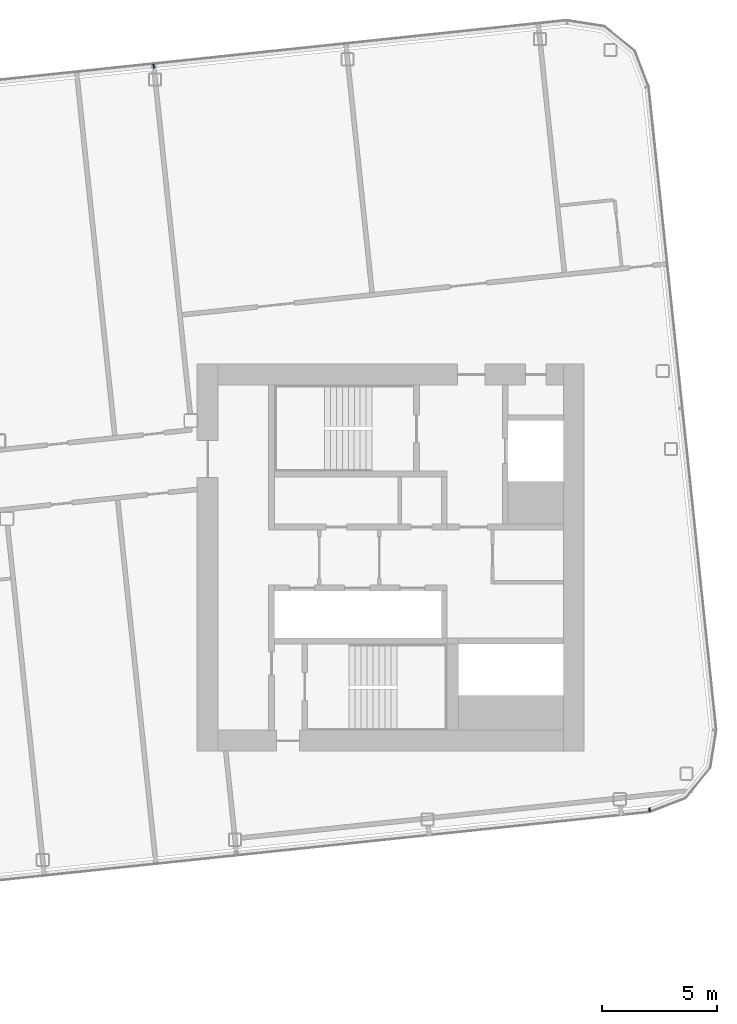
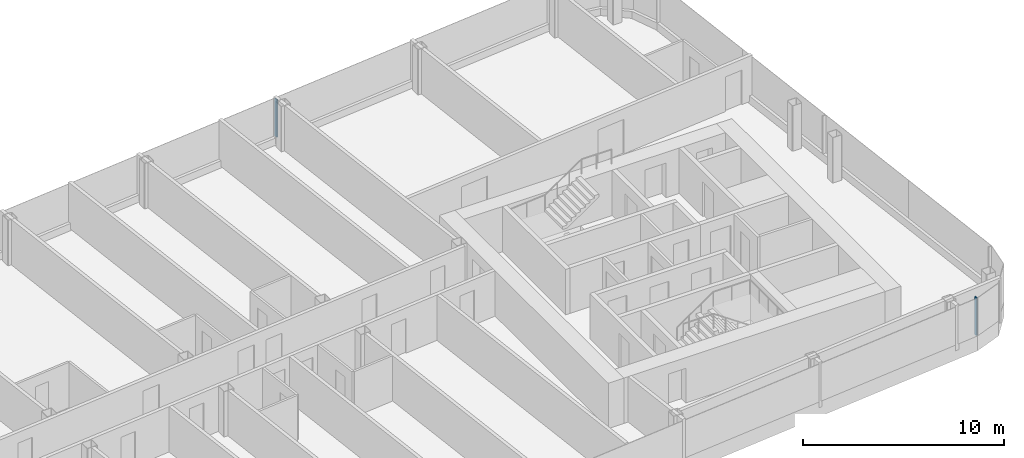
# One storey, part 11 of 27: 2 members, 2 elements without a shape of their own.
"""IFC4 building model written with IfcOpenShell, lengths in metres."""

from ifc_helpers import new_model, si_unit, direction, frame, origin, origin_2d, place, context, subcontext, project, spatial, rectangle, extrude, material, layer, layer_set, material_profile, profile_set, type_object, element, aggregate, save


model = new_model("IFC4")

# Units and contexts
model_context = context("Model", 3, precision=1e-05, world=origin(), true_north=direction((0.0, 1.0)))
body_context = subcontext(model_context, "Body", "Model", "MODEL_VIEW")
ifc_project = project(units=[si_unit("LENGTHUNIT", "METRE"), si_unit("AREAUNIT", "SQUARE_METRE"), si_unit("VOLUMEUNIT", "CUBIC_METRE"), si_unit("PLANEANGLEUNIT", "RADIAN"), si_unit("MASSUNIT", "GRAM", prefix="KILO")], contexts=[model_context])

# Site, building, storey
site_placement = place(None, origin())
site = spatial("IfcSite", under=ifc_project, at=site_placement, CompositionType="ELEMENT")
building_placement = place(site_placement, origin())
building = spatial("IfcBuilding", under=site, at=building_placement, Name="Hakoniwa Tower and Hamabe Station Hall", CompositionType="ELEMENT")
storey_placement = place(building_placement, frame((0.0, 0.0, 261.39990234375)))
storey = spatial("IfcBuildingStorey", under=building, at=storey_placement, Name="L74", CompositionType="ELEMENT", Elevation=261.39990234375)

# Curtain wall, member
ifc_material_1 = material(Name="Dark low-e laminated glass", Category="glass")
ifc_layer = layer(ifc_material_1, 0.199951171875)
ifc_layer_set = layer_set([ifc_layer], Name="CW-1 UNITISED GUEST")
curtain_wall_type = type_object("IfcCurtainWallType", Name="CW-1 UNITISED GUEST", PredefinedType="NOTDEFINED", material=ifc_layer_set)
curtain_wall_1_placement = place(storey_placement, origin())
curtain_wall_1 = element("IfcCurtainWall", 1, at=curtain_wall_1_placement, inside=storey, type_object=curtain_wall_type, Name="CW-1 curtain wall", PredefinedType="NOTDEFINED")
ifc_material_2 = material(Name="Aluminium 6063-T5 black anodised", Category="aluminium")
ifc_material_profile = material_profile(ifc_material_2, rectangle(XDim=0.06005859375, YDim=0.179931640625, at=origin_2d()), Name="CW-1 MULLION 60X180")
ifc_profile_set = profile_set([ifc_material_profile], Name="Aluminium 6063-T5 black anodised")
member_type = type_object("IfcMemberType", Name="CW-1 MULLION 60X180", PredefinedType="MULLION", material=ifc_profile_set)
member_1_placement = place(storey_placement, frame((14.911865234375, 21.343994140625, 0.35009765625), z_axis=(0.0, 0.0, 1.0), x_axis=(-0.994521895272, -0.104528464188, 0.0)))
member_1 = element("IfcMember", 2, at=member_1_placement, type_object=member_type, Name="CW-1 mullion", PredefinedType="MULLION", context=body_context, shape_type="SweptSolid", body=[
    extrude(rectangle(XDim=0.06005859375, YDim=0.179931640625, at=origin_2d()), origin(), (0.0, 0.0, 1.0), 2.300048828125),
])
aggregate(curtain_wall_1, [member_1])

curtain_wall_2_placement = place(storey_placement, origin())
curtain_wall_2 = element("IfcCurtainWall", 3, at=curtain_wall_2_placement, inside=storey, type_object=curtain_wall_type, Name="CW-1 curtain wall", PredefinedType="NOTDEFINED")
member_2_placement = place(storey_placement, frame((36.444580078125, -10.946044921875, 0.35009765625), z_axis=(0.0, 0.0, 1.0), x_axis=(0.994521895272, 0.104528464188, 0.0)))
member_2 = element("IfcMember", 4, at=member_2_placement, type_object=member_type, Name="CW-1 mullion", PredefinedType="MULLION", context=body_context, shape_type="SweptSolid", body=[
    extrude(rectangle(XDim=0.06005859375, YDim=0.179931640625, at=origin_2d()), origin(), (0.0, 0.0, 1.0), 2.300048828125),
])
aggregate(curtain_wall_2, [member_2])

save(model, "model.ifc")
